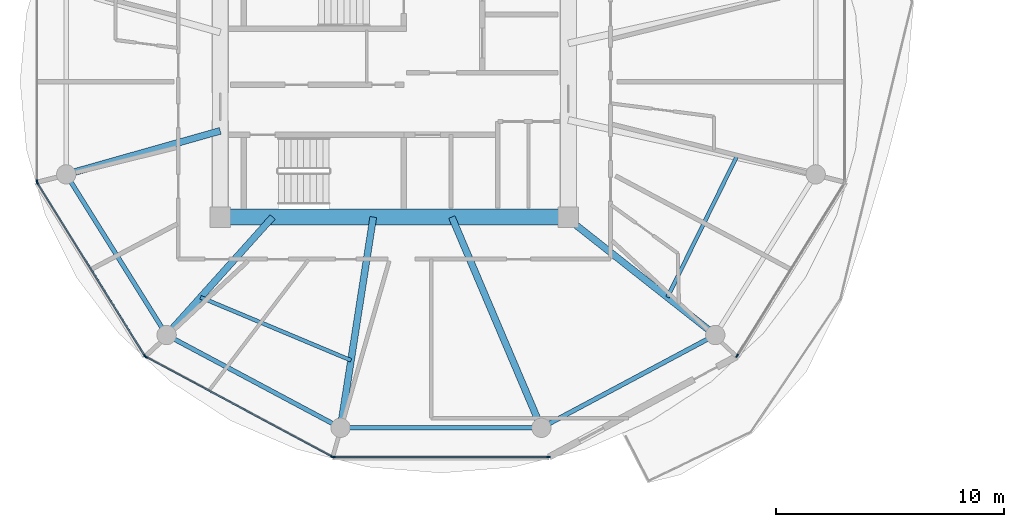
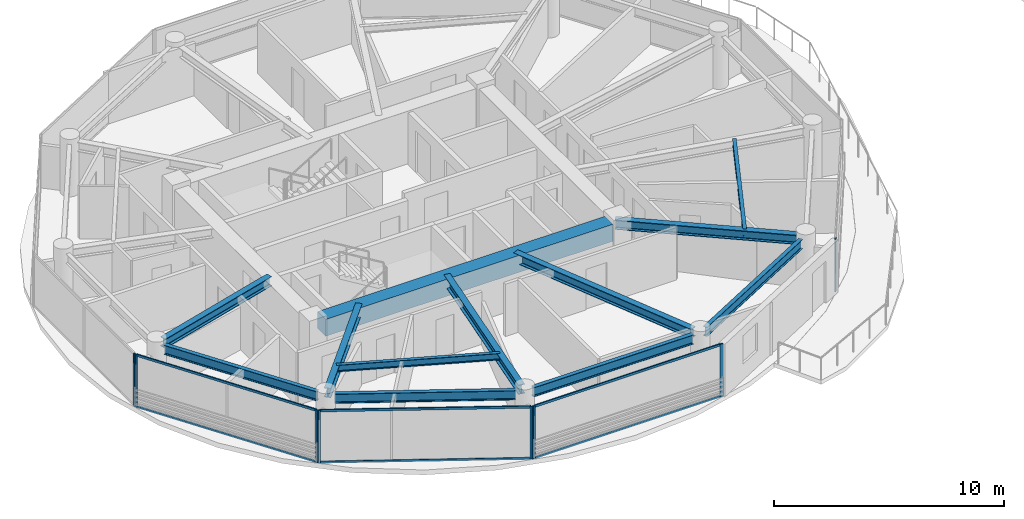
# One storey, part 2 of 22: 14 members, 12 beams, 5 elements without a shape of their own.
"""IFC4 building model written with IfcOpenShell, lengths in metres."""

from ifc_helpers import new_model, si_unit, direction, frame, origin, origin_2d, place, context, subcontext, project, spatial, rectangle, i_section, extrude, source, transform, mapped, material, layer, layer_set, material_profile, profile_set, type_object, type_shapes, element, aggregate, save


model = new_model("IFC4")

# Units and contexts
model_context = context("Model", 3, precision=1e-05, world=origin(), true_north=direction((0.0, 1.0)))
body_context = subcontext(model_context, "Body", "Model", "MODEL_VIEW")
ifc_project = project(units=[si_unit("LENGTHUNIT", "METRE"), si_unit("AREAUNIT", "SQUARE_METRE"), si_unit("VOLUMEUNIT", "CUBIC_METRE"), si_unit("PLANEANGLEUNIT", "RADIAN"), si_unit("MASSUNIT", "GRAM", prefix="KILO")], contexts=[model_context])

# Site, building, storey
site_placement = place(None, origin())
site = spatial("IfcSite", under=ifc_project, at=site_placement, CompositionType="ELEMENT")
building_placement = place(site_placement, origin())
building = spatial("IfcBuilding", under=site, at=building_placement, Name="Norrkilde Senior Care Towers", CompositionType="ELEMENT")
storey_placement = place(building_placement, frame((0.0, 0.0, 123.699951171875)))
storey = spatial("IfcBuildingStorey", under=building, at=storey_placement, Name="L38", CompositionType="ELEMENT", Elevation=123.699951171875)

# Beams
ifc_material_1 = material(Name="Concrete C60/75", Category="concrete")
ifc_material_profile_1 = material_profile(ifc_material_1, rectangle(XDim=0.699951171875, YDim=0.89990234375, at=origin_2d()), Name="RC BM 700x900")
ifc_profile_set_1 = profile_set([ifc_material_profile_1], Name="Concrete C60/75")
beam_type_1 = type_object("IfcBeamType", Name="Core Coupling Girder 700x900", PredefinedType="USERDEFINED", material=ifc_profile_set_1)
shared_shape_1 = source(origin(), body_context, "Body", "SweptSolid", [
    extrude(rectangle(XDim=0.699951171875, YDim=0.89990234375, at=origin_2d()), origin(), (0.0, 0.0, 1.0), 14.43994140625),
])
type_shapes(beam_type_1, [shared_shape_1])
beam_1_placement = place(storey_placement, frame((-35.219970703125, -5.949951171875, 2.340087890625), z_axis=(1.0, 0.0, 0.0), x_axis=(0.0, 1.0, 0.0)))
element("IfcBeam", 1, at=beam_1_placement, inside=storey, type_object=beam_type_1, Name="L38 Core W S Coupling Girder", ObjectType="GIRDER", PredefinedType="USERDEFINED", context=body_context, shape_type="MappedRepresentation", body=[
    mapped(shared_shape_1, transform((0.0, 0.0, 0.0), x_axis=(1.0, 0.0, 0.0), y_axis=(0.0, 1.0, 0.0), z_axis=(0.0, 0.0, 1.0), scale=1.0)),
])
ifc_material_2 = material(Name="Steel S355", Category="steel")
ifc_material_profile_2 = material_profile(ifc_material_2, i_section(OverallWidth=0.199951171875, OverallDepth=0.5, WebThickness=0.01025390625, FlangeThickness=0.01611328125, FilletRadius=0.02099609375, at=origin_2d()), Name="IPE 500")
ifc_profile_set_2 = profile_set([ifc_material_profile_2], Name="Steel S355")
beam_type_2 = type_object("IfcBeamType", Name="Perimeter Ring Spandrel Z2 IPE500", PredefinedType="SPANDREL", material=ifc_profile_set_2)
shared_shape_2 = source(origin(), body_context, "Body", "SweptSolid", [
    extrude(i_section(OverallWidth=0.199951171875, OverallDepth=0.5, WebThickness=0.01025390625, FlangeThickness=0.01611328125, FilletRadius=0.02099609375, at=origin_2d()), origin(), (0.0, 0.0, 1.0), 7.892333984375),
])
for number, where, z_axis, x_axis, name in (
    (2, (-37.66650390625, -11.318115234375, 2.5400390625), (0.882350372282, -0.47059305194, 0.0), (0.47059305194, 0.882350372282, 0.0), "L38 Drum W Perimeter Spandrel 08"),
    (3, (-21.197509765625, -15.0322265625, 2.5400390625), (0.882350372282, 0.47059305194, 0.0), (-0.47059305194, 0.882350372282, 0.0), "L38 Drum W Perimeter Spandrel 10"),
):
    element("IfcBeam", number, at=place(storey_placement, frame(where, z_axis=z_axis, x_axis=x_axis)), inside=storey, type_object=beam_type_2, Name=name, PredefinedType="SPANDREL", context=body_context, shape_type="MappedRepresentation", body=[
        mapped(shared_shape_2, transform((0.0, 0.0, 0.0), x_axis=(1.0, 0.0, 0.0), y_axis=(0.0, 1.0, 0.0), z_axis=(0.0, 0.0, 1.0), scale=1.0)),
    ])
ifc_material_profile_3 = material_profile(ifc_material_2, i_section(OverallWidth=0.300048828125, OverallDepth=0.5, WebThickness=0.014404296875, FlangeThickness=0.028076171875, FilletRadius=0.027099609375, at=origin_2d()), Name="HEB 500")
ifc_profile_set_3 = profile_set([ifc_material_profile_3], Name="Steel S355")
beam_type_3 = type_object("IfcBeamType", Name="Radial Floor Beam Z2 HEB500", PredefinedType="BEAM", material=ifc_profile_set_3)
shared_shape_3 = source(origin(), body_context, "Body", "SweptSolid", [
    extrude(i_section(OverallWidth=0.300048828125, OverallDepth=0.5, WebThickness=0.014404296875, FlangeThickness=0.028076171875, FilletRadius=0.027099609375, at=origin_2d()), origin(), (0.0, 0.0, 1.0), 7.985595703125),
])
beam_2_placement = place(storey_placement, frame((-20.463623046875, -5.949951171875, 2.5400390625), z_axis=(0.784858505144, -0.619675017169, 0.0), x_axis=(0.619675017169, 0.784858505144, 0.0)))
element("IfcBeam", 4, at=beam_2_placement, inside=storey, type_object=beam_type_3, Name="L38 Drum W Radial Floor Beam 11", PredefinedType="BEAM", context=body_context, shape_type="MappedRepresentation", body=[
    mapped(shared_shape_3, transform((0.0, 0.0, 0.0), x_axis=(1.0, 0.0, 0.0), y_axis=(0.0, 1.0, 0.0), z_axis=(0.0, 0.0, 1.0), scale=1.0)),
])
shared_shape_4 = source(origin(), body_context, "Body", "SweptSolid", [
    extrude(i_section(OverallWidth=0.199951171875, OverallDepth=0.5, WebThickness=0.01025390625, FlangeThickness=0.01611328125, FilletRadius=0.02099609375, at=origin_2d()), origin(), (0.0, 0.0, 1.0), 8.0556640625),
])
beam_3_placement = place(storey_placement, frame((-29.977783203125, -15.21337890625, 2.5400390625), z_axis=(1.0, 0.0, 0.0), x_axis=(0.0, 1.0, 0.0)))
element("IfcBeam", 5, at=beam_3_placement, inside=storey, type_object=beam_type_2, Name="L38 Drum W Perimeter Spandrel 09", PredefinedType="SPANDREL", context=body_context, shape_type="MappedRepresentation", body=[
    mapped(shared_shape_4, transform((0.0, 0.0, 0.0), x_axis=(1.0, 0.0, 0.0), y_axis=(0.0, 1.0, 0.0), z_axis=(0.0, 0.0, 1.0), scale=1.0)),
])
shared_shape_5 = source(origin(), body_context, "Body", "SweptSolid", [
    extrude(i_section(OverallWidth=0.300048828125, OverallDepth=0.5, WebThickness=0.014404296875, FlangeThickness=0.028076171875, FilletRadius=0.027099609375, at=origin_2d()), origin(), (0.0, 0.0, 1.0), 9.679443359375),
])
beam_4_placement = place(storey_placement, frame((-25.472412109375, -5.949951171875, 2.5400390625), z_axis=(0.390998033479, -0.920391513333, 0.0), x_axis=(0.920391513333, 0.390998033479, 0.0)))
element("IfcBeam", 6, at=beam_4_placement, inside=storey, type_object=beam_type_3, Name="L38 Drum W Radial Floor Beam 10", PredefinedType="BEAM", context=body_context, shape_type="MappedRepresentation", body=[
    mapped(shared_shape_5, transform((0.0, 0.0, 0.0), x_axis=(1.0, 0.0, 0.0), y_axis=(0.0, 1.0, 0.0), z_axis=(0.0, 0.0, 1.0), scale=1.0)),
])
shared_shape_6 = source(origin(), body_context, "Body", "SweptSolid", [
    extrude(i_section(OverallWidth=0.300048828125, OverallDepth=0.5, WebThickness=0.014404296875, FlangeThickness=0.028076171875, FilletRadius=0.027099609375, at=origin_2d()), origin(), (0.0, 0.0, 1.0), 8.989501953125),
])
beam_5_placement = place(storey_placement, frame((-28.924072265625, -5.949951171875, 2.5400390625), z_axis=(-0.153471298636, -0.988153105796, 0.0), x_axis=(0.988153105796, -0.153471298636, 0.0)))
element("IfcBeam", 7, at=beam_5_placement, inside=storey, type_object=beam_type_3, Name="L38 Drum W Radial Floor Beam 09", PredefinedType="BEAM", context=body_context, shape_type="MappedRepresentation", body=[
    mapped(shared_shape_6, transform((0.0, 0.0, 0.0), x_axis=(1.0, 0.0, 0.0), y_axis=(0.0, 1.0, 0.0), z_axis=(0.0, 0.0, 1.0), scale=1.0)),
])
shared_shape_7 = source(origin(), body_context, "Body", "SweptSolid", [
    extrude(i_section(OverallWidth=0.199951171875, OverallDepth=0.5, WebThickness=0.01025390625, FlangeThickness=0.01611328125, FilletRadius=0.02099609375, at=origin_2d()), origin(), (0.0, 0.0, 1.0), 7.556396484375),
])
type_shapes(beam_type_2, [shared_shape_2, shared_shape_4, shared_shape_7])
beam_6_placement = place(storey_placement, frame((-42.215087890625, -4.40283203125, 2.5400390625), z_axis=(0.530004748437, -0.847994673706, 0.0), x_axis=(0.847994673706, 0.530004748437, 0.0)))
element("IfcBeam", 8, at=beam_6_placement, inside=storey, type_object=beam_type_2, Name="L38 Drum W Perimeter Spandrel 07", PredefinedType="SPANDREL", context=body_context, shape_type="MappedRepresentation", body=[
    mapped(shared_shape_7, transform((0.0, 0.0, 0.0), x_axis=(1.0, 0.0, 0.0), y_axis=(0.0, 1.0, 0.0), z_axis=(0.0, 0.0, 1.0), scale=1.0)),
])
shared_shape_8 = source(origin(), body_context, "Body", "SweptSolid", [
    extrude(i_section(OverallWidth=0.300048828125, OverallDepth=0.5, WebThickness=0.014404296875, FlangeThickness=0.028076171875, FilletRadius=0.027099609375, at=origin_2d()), origin(), (0.0, 0.0, 1.0), 6.587890625),
])
beam_7_placement = place(storey_placement, frame((-33.345947265625, -5.949951171875, 2.5400390625), z_axis=(-0.668315438605, -0.743877997068, 0.0), x_axis=(0.743877997068, -0.668315438605, 0.0)))
element("IfcBeam", 9, at=beam_7_placement, inside=storey, type_object=beam_type_3, Name="L38 Drum W Radial Floor Beam 08", PredefinedType="BEAM", context=body_context, shape_type="MappedRepresentation", body=[
    mapped(shared_shape_8, transform((0.0, 0.0, 0.0), x_axis=(1.0, 0.0, 0.0), y_axis=(0.0, 1.0, 0.0), z_axis=(0.0, 0.0, 1.0), scale=1.0)),
])
shared_shape_9 = source(origin(), body_context, "Body", "SweptSolid", [
    extrude(i_section(OverallWidth=0.300048828125, OverallDepth=0.5, WebThickness=0.014404296875, FlangeThickness=0.028076171875, FilletRadius=0.027099609375, at=origin_2d()), origin(), (0.0, 0.0, 1.0), 6.6494140625),
])
type_shapes(beam_type_3, [shared_shape_3, shared_shape_5, shared_shape_6, shared_shape_8, shared_shape_9])
beam_8_placement = place(storey_placement, frame((-35.64990234375, -2.162841796875, 2.5400390625), z_axis=(-0.962289138357, -0.27202870106, 0.0), x_axis=(0.27202870106, -0.962289138357, 0.0)))
element("IfcBeam", 10, at=beam_8_placement, inside=storey, type_object=beam_type_3, Name="L38 Drum W Radial Floor Beam 07", PredefinedType="BEAM", context=body_context, shape_type="MappedRepresentation", body=[
    mapped(shared_shape_9, transform((0.0, 0.0, 0.0), x_axis=(1.0, 0.0, 0.0), y_axis=(0.0, 1.0, 0.0), z_axis=(0.0, 0.0, 1.0), scale=1.0)),
])
ifc_material_profile_4 = material_profile(ifc_material_2, i_section(OverallWidth=0.169921875, OverallDepth=0.360107421875, WebThickness=0.008056640625, FlangeThickness=0.0126953125, FilletRadius=0.01806640625, at=origin_2d()), Name="IPE 360")
ifc_profile_set_4 = profile_set([ifc_material_profile_4], Name="Steel S355")
beam_type_4 = type_object("IfcBeamType", Name="Secondary Floor Joist IPE360", PredefinedType="JOIST", material=ifc_profile_set_4)
shared_shape_10 = source(origin(), body_context, "Body", "SweptSolid", [
    extrude(i_section(OverallWidth=0.169921875, OverallDepth=0.360107421875, WebThickness=0.008056640625, FlangeThickness=0.0126953125, FilletRadius=0.01806640625, at=origin_2d()), origin(), (0.0, 0.0, 1.0), 7.169921875),
])
beam_9_placement = place(storey_placement, frame((-36.514892578125, -9.47705078125, 2.610107421875), z_axis=(0.922240600393, -0.386616444279, 0.0), x_axis=(0.386616444279, 0.922240600393, 0.0)))
element("IfcBeam", 11, at=beam_9_placement, inside=storey, type_object=beam_type_4, Name="L38 Drum W Secondary Floor Joist 3", PredefinedType="JOIST", context=body_context, shape_type="MappedRepresentation", body=[
    mapped(shared_shape_10, transform((0.0, 0.0, 0.0), x_axis=(1.0, 0.0, 0.0), y_axis=(0.0, 1.0, 0.0), z_axis=(0.0, 0.0, 1.0), scale=1.0)),
])
shared_shape_11 = source(origin(), body_context, "Body", "SweptSolid", [
    extrude(i_section(OverallWidth=0.169921875, OverallDepth=0.360107421875, WebThickness=0.008056640625, FlangeThickness=0.0126953125, FilletRadius=0.01806640625, at=origin_2d()), origin(), (0.0, 0.0, 1.0), 6.87353515625),
])
type_shapes(beam_type_4, [shared_shape_10, shared_shape_11])
beam_10_placement = place(storey_placement, frame((-15.99609375, -9.47705078125, 2.610107421875), z_axis=(0.44184939592, 0.897089243791, 0.0), x_axis=(-0.897089243791, 0.44184939592, 0.0)))
element("IfcBeam", 12, at=beam_10_placement, inside=storey, type_object=beam_type_4, Name="L38 Drum W Secondary Floor Joist 4", PredefinedType="JOIST", context=body_context, shape_type="MappedRepresentation", body=[
    mapped(shared_shape_11, transform((0.0, 0.0, 0.0), x_axis=(1.0, 0.0, 0.0), y_axis=(0.0, 1.0, 0.0), z_axis=(0.0, 0.0, 1.0), scale=1.0)),
])

# Curtain wall, member
ifc_material_3 = material(Name="Triple Low-E Insulated Glazing", Category="glass")
ifc_layer = layer(ifc_material_3, 0.195068359375)
ifc_layer_set = layer_set([ifc_layer], Name="Triple Low-E Insulated Glazing")
curtain_wall_type = type_object("IfcCurtainWallType", Name="CW3 Zone 2 Assisted Living Curtain Wall", PredefinedType="NOTDEFINED", material=ifc_layer_set)
curtain_wall_1_placement = place(storey_placement, origin())
curtain_wall_1 = element("IfcCurtainWall", 13, at=curtain_wall_1_placement, inside=storey, type_object=curtain_wall_type, Name="L38 Drum W Curtain Wall 05", PredefinedType="NOTDEFINED")
ifc_material_4 = material(Name="Anodised Aluminium", Category="aluminium")
ifc_material_profile_5 = material_profile(ifc_material_4, rectangle(XDim=0.06494140625, YDim=0.159912109375, at=origin_2d()), Name="ALU MULL 65x160")
ifc_profile_set_5 = profile_set([ifc_material_profile_5], Name="Anodised Aluminium")
member_type_1 = type_object("IfcMemberType", Name="Curtain Wall Mullion Z1-Z2 65x160", PredefinedType="MULLION", material=ifc_profile_set_5)
shared_shape_12 = source(origin(), body_context, "Body", "SweptSolid", [
    extrude(rectangle(XDim=0.06494140625, YDim=0.159912109375, at=origin_2d()), origin(), (0.0, 0.0, 1.0), 2.7900390625),
])
type_shapes(member_type_1, [shared_shape_12])
member_1_placement = place(storey_placement, frame((-43.70361328125, -4.38818359375, 0.0), z_axis=(0.0, 0.0, 1.0), x_axis=(-1.0, 0.0, 0.0)))
member_1 = element("IfcMember", 14, at=member_1_placement, type_object=member_type_1, Name="CW-3 mullion 1", PredefinedType="MULLION", context=body_context, shape_type="MappedRepresentation", body=[
    mapped(shared_shape_12, transform((0.0, 0.0, 0.0), x_axis=(1.0, 0.0, 0.0), y_axis=(0.0, 1.0, 0.0), z_axis=(0.0, 0.0, 1.0), scale=1.0)),
])
aggregate(curtain_wall_1, [member_1])

# Curtain wall, members
curtain_wall_2_placement = place(storey_placement, origin())
curtain_wall_2 = element("IfcCurtainWall", 15, at=curtain_wall_2_placement, inside=storey, type_object=curtain_wall_type, Name="L38 Drum W Curtain Wall 06", PredefinedType="NOTDEFINED")
member_2_placement = place(storey_placement, frame((-38.9638671875, -12.0498046875, 0.0), z_axis=(0.0, 0.0, 1.0), x_axis=(-0.849410171862, -0.527733228002, 0.0)))
member_2 = element("IfcMember", 16, at=member_2_placement, type_object=member_type_1, Name="CW-3 mullion 1", PredefinedType="MULLION", context=body_context, shape_type="MappedRepresentation", body=[
    mapped(shared_shape_12, transform((0.0, 0.0, 0.0), x_axis=(1.0, 0.0, 0.0), y_axis=(0.0, 1.0, 0.0), z_axis=(0.0, 0.0, 1.0), scale=1.0)),
])
member_3_placement = place(storey_placement, frame((-43.6865234375, -4.4482421875, 0.0), z_axis=(0.0, 0.0, 1.0), x_axis=(-0.849410171862, -0.527733228002, 0.0)))
member_3 = element("IfcMember", 17, at=member_3_placement, type_object=member_type_1, Name="CW-3 mullion 2", PredefinedType="MULLION", context=body_context, shape_type="MappedRepresentation", body=[
    mapped(shared_shape_12, transform((0.0, 0.0, 0.0), x_axis=(1.0, 0.0, 0.0), y_axis=(0.0, 1.0, 0.0), z_axis=(0.0, 0.0, 1.0), scale=1.0)),
])

curtain_wall_3_placement = place(storey_placement, origin())
curtain_wall_3 = element("IfcCurtainWall", 18, at=curtain_wall_3_placement, inside=storey, type_object=curtain_wall_type, Name="L38 Drum W Curtain Wall 07", PredefinedType="NOTDEFINED")
member_4_placement = place(storey_placement, frame((-30.73583984375, -16.482666015625, 0.0), z_axis=(0.0, 0.0, 1.0), x_axis=(-0.472769402511, -0.881186184668, 0.0)))
member_4 = element("IfcMember", 19, at=member_4_placement, type_object=member_type_1, Name="CW-3 mullion 1", PredefinedType="MULLION", context=body_context, shape_type="MappedRepresentation", body=[
    mapped(shared_shape_12, transform((0.0, 0.0, 0.0), x_axis=(1.0, 0.0, 0.0), y_axis=(0.0, 1.0, 0.0), z_axis=(0.0, 0.0, 1.0), scale=1.0)),
])
member_5_placement = place(storey_placement, frame((-38.91796875, -12.0927734375, 0.0), z_axis=(0.0, 0.0, 1.0), x_axis=(-0.472769402511, -0.881186184668, 0.0)))
member_5 = element("IfcMember", 20, at=member_5_placement, type_object=member_type_1, Name="CW-3 mullion 2", PredefinedType="MULLION", context=body_context, shape_type="MappedRepresentation", body=[
    mapped(shared_shape_12, transform((0.0, 0.0, 0.0), x_axis=(1.0, 0.0, 0.0), y_axis=(0.0, 1.0, 0.0), z_axis=(0.0, 0.0, 1.0), scale=1.0)),
])

curtain_wall_4_placement = place(storey_placement, origin())
curtain_wall_4 = element("IfcCurtainWall", 21, at=curtain_wall_4_placement, inside=storey, type_object=curtain_wall_type, Name="L38 Drum W Curtain Wall 08", PredefinedType="NOTDEFINED")
member_6_placement = place(storey_placement, frame((-21.225341796875, -16.498046875, 0.0), z_axis=(0.0, 0.0, 1.0), x_axis=(0.0, -1.0, 0.0)))
member_6 = element("IfcMember", 22, at=member_6_placement, type_object=member_type_1, Name="CW-3 mullion 1", PredefinedType="MULLION", context=body_context, shape_type="MappedRepresentation", body=[
    mapped(shared_shape_12, transform((0.0, 0.0, 0.0), x_axis=(1.0, 0.0, 0.0), y_axis=(0.0, 1.0, 0.0), z_axis=(0.0, 0.0, 1.0), scale=1.0)),
])
member_7_placement = place(storey_placement, frame((-30.674560546875, -16.498046875, 0.0), z_axis=(0.0, 0.0, 1.0), x_axis=(0.0, -1.0, 0.0)))
member_7 = element("IfcMember", 23, at=member_7_placement, type_object=member_type_1, Name="CW-3 mullion 2", PredefinedType="MULLION", context=body_context, shape_type="MappedRepresentation", body=[
    mapped(shared_shape_12, transform((0.0, 0.0, 0.0), x_axis=(1.0, 0.0, 0.0), y_axis=(0.0, 1.0, 0.0), z_axis=(0.0, 0.0, 1.0), scale=1.0)),
])

# Curtain wall, member
curtain_wall_5_placement = place(storey_placement, origin())
curtain_wall_5 = element("IfcCurtainWall", 24, at=curtain_wall_5_placement, inside=storey, type_object=curtain_wall_type, Name="L38 Drum W Curtain Wall 10", PredefinedType="NOTDEFINED")
member_8_placement = place(storey_placement, frame((-12.936279296875, -12.0498046875, 0.0), z_axis=(0.0, 0.0, 1.0), x_axis=(0.849410171862, -0.527733228002, 0.0)))
member_8 = element("IfcMember", 25, at=member_8_placement, type_object=member_type_1, Name="CW-3 mullion 2", PredefinedType="MULLION", context=body_context, shape_type="MappedRepresentation", body=[
    mapped(shared_shape_12, transform((0.0, 0.0, 0.0), x_axis=(1.0, 0.0, 0.0), y_axis=(0.0, 1.0, 0.0), z_axis=(0.0, 0.0, 1.0), scale=1.0)),
])
aggregate(curtain_wall_5, [member_8])

# Member
ifc_material_profile_6 = material_profile(ifc_material_4, rectangle(XDim=0.06005859375, YDim=0.1201171875, at=origin_2d()), Name="ALU TRAN 60x120")
ifc_profile_set_6 = profile_set([ifc_material_profile_6], Name="Anodised Aluminium")
member_type_2 = type_object("IfcMemberType", Name="Curtain Wall Transom Typical 60x120", PredefinedType="USERDEFINED", material=ifc_profile_set_6)
shared_shape_13 = source(origin(), body_context, "Body", "SweptSolid", [
    extrude(rectangle(XDim=0.06005859375, YDim=0.1201171875, at=origin_2d()), origin(), (0.0, 0.0, 1.0), 8.88427734375),
])
member_9_placement = place(storey_placement, frame((-38.98095703125, -12.022216796875, 0.030029296875), z_axis=(-0.527729466743, 0.849412508697, 0.0), x_axis=(-0.849412508697, -0.527729466743, 0.0)))
member_9 = element("IfcMember", 26, at=member_9_placement, type_object=member_type_2, Name="CW-3 transom 1.1", ObjectType="TRANSOM", PredefinedType="USERDEFINED", context=body_context, shape_type="MappedRepresentation", body=[
    mapped(shared_shape_13, transform((0.0, 0.0, 0.0), x_axis=(1.0, 0.0, 0.0), y_axis=(0.0, 1.0, 0.0), z_axis=(0.0, 0.0, 1.0), scale=1.0)),
])

member_10_placement = place(storey_placement, frame((-38.98095703125, -12.022216796875, 2.760009765625), z_axis=(-0.527729466743, 0.849412508697, 0.0), x_axis=(-0.849412508697, -0.527729466743, 0.0)))
member_10 = element("IfcMember", 27, at=member_10_placement, type_object=member_type_2, Name="CW-3 transom 1.2", ObjectType="TRANSOM", PredefinedType="USERDEFINED", context=body_context, shape_type="MappedRepresentation", body=[
    mapped(shared_shape_13, transform((0.0, 0.0, 0.0), x_axis=(1.0, 0.0, 0.0), y_axis=(0.0, 1.0, 0.0), z_axis=(0.0, 0.0, 1.0), scale=1.0)),
])

aggregate(curtain_wall_2, [member_2, member_3, member_9, member_10])

shared_shape_14 = source(origin(), body_context, "Body", "SweptSolid", [
    extrude(rectangle(XDim=0.06005859375, YDim=0.1201171875, at=origin_2d()), origin(), (0.0, 0.0, 1.0), 9.220458984375),
])
member_11_placement = place(storey_placement, frame((-30.764404296875, -16.46728515625, 0.030029296875), z_axis=(-0.881188517866, 0.472765053681, 0.0), x_axis=(-0.472765053681, -0.881188517866, 0.0)))
member_11 = element("IfcMember", 28, at=member_11_placement, type_object=member_type_2, Name="CW-3 transom 1.1", ObjectType="TRANSOM", PredefinedType="USERDEFINED", context=body_context, shape_type="MappedRepresentation", body=[
    mapped(shared_shape_14, transform((0.0, 0.0, 0.0), x_axis=(1.0, 0.0, 0.0), y_axis=(0.0, 1.0, 0.0), z_axis=(0.0, 0.0, 1.0), scale=1.0)),
])

member_12_placement = place(storey_placement, frame((-30.764404296875, -16.46728515625, 2.760009765625), z_axis=(-0.881188517866, 0.472765053681, 0.0), x_axis=(-0.472765053681, -0.881188517866, 0.0)))
member_12 = element("IfcMember", 29, at=member_12_placement, type_object=member_type_2, Name="CW-3 transom 1.2", ObjectType="TRANSOM", PredefinedType="USERDEFINED", context=body_context, shape_type="MappedRepresentation", body=[
    mapped(shared_shape_14, transform((0.0, 0.0, 0.0), x_axis=(1.0, 0.0, 0.0), y_axis=(0.0, 1.0, 0.0), z_axis=(0.0, 0.0, 1.0), scale=1.0)),
])

aggregate(curtain_wall_3, [member_4, member_5, member_11, member_12])

shared_shape_15 = source(origin(), body_context, "Body", "SweptSolid", [
    extrude(rectangle(XDim=0.06005859375, YDim=0.1201171875, at=origin_2d()), origin(), (0.0, 0.0, 1.0), 9.38427734375),
])
type_shapes(member_type_2, [shared_shape_13, shared_shape_14, shared_shape_15])
member_13_placement = place(storey_placement, frame((-21.2578125, -16.498046875, 0.030029296875), z_axis=(-1.0, 0.0, 0.0), x_axis=(0.0, -1.0, 0.0)))
member_13 = element("IfcMember", 30, at=member_13_placement, type_object=member_type_2, Name="CW-3 transom 1.1", ObjectType="TRANSOM", PredefinedType="USERDEFINED", context=body_context, shape_type="MappedRepresentation", body=[
    mapped(shared_shape_15, transform((0.0, 0.0, 0.0), x_axis=(1.0, 0.0, 0.0), y_axis=(0.0, 1.0, 0.0), z_axis=(0.0, 0.0, 1.0), scale=1.0)),
])

member_14_placement = place(storey_placement, frame((-21.2578125, -16.498046875, 2.760009765625), z_axis=(-1.0, 0.0, 0.0), x_axis=(0.0, -1.0, 0.0)))
member_14 = element("IfcMember", 31, at=member_14_placement, type_object=member_type_2, Name="CW-3 transom 1.2", ObjectType="TRANSOM", PredefinedType="USERDEFINED", context=body_context, shape_type="MappedRepresentation", body=[
    mapped(shared_shape_15, transform((0.0, 0.0, 0.0), x_axis=(1.0, 0.0, 0.0), y_axis=(0.0, 1.0, 0.0), z_axis=(0.0, 0.0, 1.0), scale=1.0)),
])

aggregate(curtain_wall_4, [member_6, member_7, member_13, member_14])

save(model, "model.ifc")
